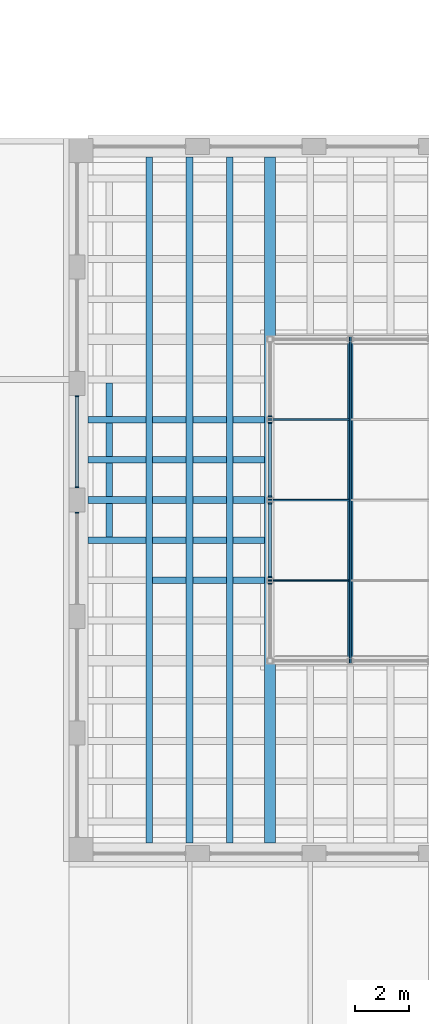
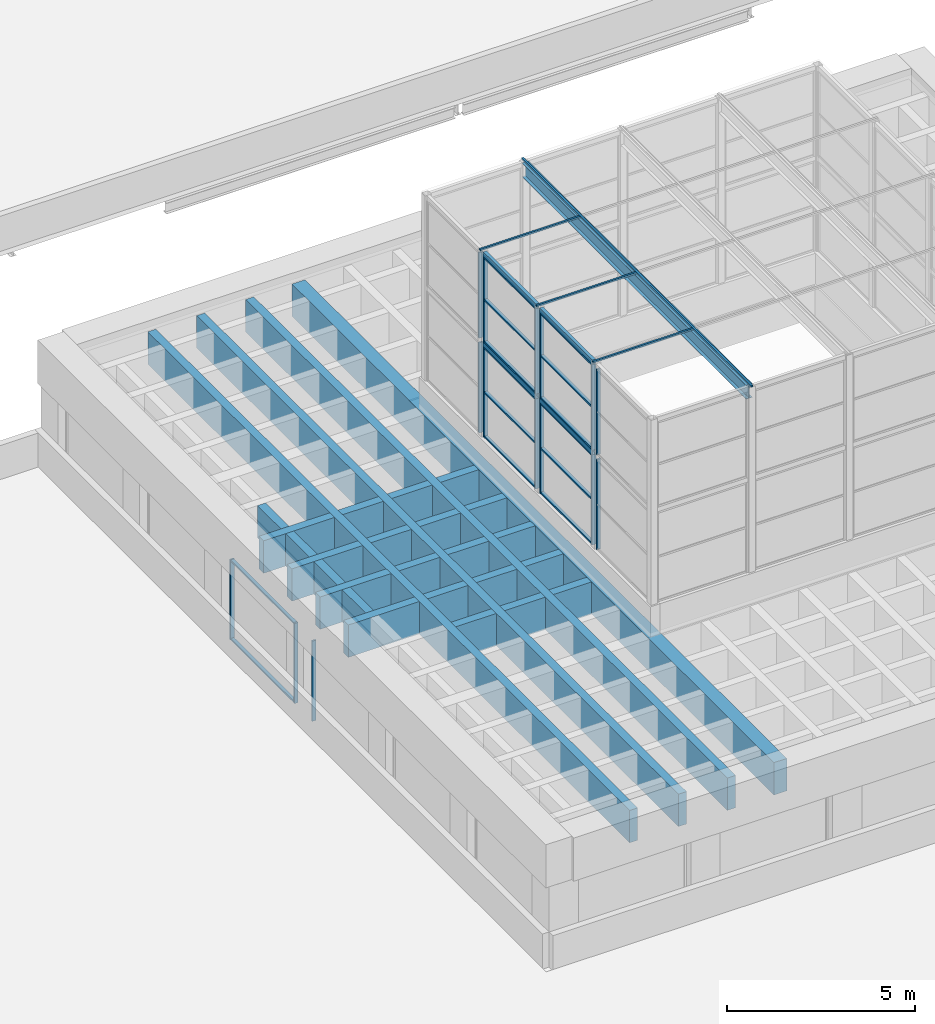
# One storey, part 20 of 50: 33 members, 32 beams, 11 elements without a shape of their own.
"""IFC4 building model written with IfcOpenShell, lengths in metres."""

from ifc_helpers import new_model, si_unit, direction, frame, origin, origin_2d, place, context, subcontext, project, spatial, rectangle, hollow_rectangle, i_section, extrude, material, layer, layer_set, material_profile, profile_set, type_object, element, aggregate, save


model = new_model("IFC4")

# Units and contexts
model_context = context("Model", 3, precision=1e-05, world=origin(), true_north=direction((0.0, 1.0)))
body_context = subcontext(model_context, "Body", "Model", "MODEL_VIEW")
ifc_project = project(units=[si_unit("LENGTHUNIT", "METRE"), si_unit("AREAUNIT", "SQUARE_METRE"), si_unit("VOLUMEUNIT", "CUBIC_METRE"), si_unit("PLANEANGLEUNIT", "RADIAN"), si_unit("MASSUNIT", "GRAM", prefix="KILO")], contexts=[model_context])

# Site, building, storey
site_placement = place(None, origin())
site = spatial("IfcSite", under=ifc_project, at=site_placement, CompositionType="ELEMENT")
building_placement = place(site_placement, origin())
building = spatial("IfcBuilding", under=site, at=building_placement, Name="Corbel Yard City Hall", CompositionType="ELEMENT")
storey_placement = place(building_placement, frame((0.0, 0.0, 15.0)))
storey = spatial("IfcBuildingStorey", under=building, at=storey_placement, Name="L03", CompositionType="ELEMENT", Elevation=15.0)

# Beams
ifc_material_1 = material(Name="Concrete N50 (50 MPa)", Category="concrete")
ifc_material_profile_1 = material_profile(ifc_material_1, rectangle(XDim=0.25, YDim=1.050048828125, at=origin_2d()), Name="250x1050")
ifc_profile_set_1 = profile_set([ifc_material_profile_1], Name="Concrete N50 (50 MPa)")
beam_type_1 = type_object("IfcBeamType", Name="Coffer cross rib RC 250X1050", PredefinedType="T_BEAM", material=ifc_profile_set_1)
for number, where, z_axis, x_axis, name in (
    (1, (118.5, 66.125, 3.125), (0.0, 1.0, 0.0), (-1.0, 0.0, 0.0), "Coffer cross rib RB3"),
    (2, (118.5, 67.625, 3.125), (0.0, 1.0, 0.0), (-1.0, 0.0, 0.0), "Coffer cross rib RB3"),
    (3, (118.5, 69.125, 3.125), (0.0, 1.0, 0.0), (-1.0, 0.0, 0.0), "Coffer cross rib RB3"),
    (4, (118.5, 70.625, 3.125), (0.0, 1.0, 0.0), (-1.0, 0.0, 0.0), "Coffer cross rib RB3"),
    (5, (120.125, 64.5, 3.125), (1.0, 0.0, 0.0), (0.0, 1.0, 0.0), "Coffer cross rib RB3"),
    (6, (121.625, 64.5, 3.125), (1.0, 0.0, 0.0), (0.0, 1.0, 0.0), "Coffer cross rib RB3"),
):
    element("IfcBeam", number, at=place(storey_placement, frame(where, z_axis=z_axis, x_axis=x_axis)), inside=storey, type_object=beam_type_1, Name=name, PredefinedType="T_BEAM", context=body_context, shape_type="SweptSolid", body=[
        extrude(rectangle(XDim=0.25, YDim=1.050048828125, at=origin_2d()), origin(), (0.0, 0.0, 1.0), 1.25),
    ])
beam_1_placement = place(storey_placement, frame((123.125, 64.5, 3.125), z_axis=(1.0, 0.0, 0.0), x_axis=(0.0, 1.0, 0.0)))
element("IfcBeam", 7, at=beam_1_placement, inside=storey, type_object=beam_type_1, Name="Coffer cross rib RB3", PredefinedType="T_BEAM", context=body_context, shape_type="SweptSolid", body=[
    extrude(rectangle(XDim=0.25, YDim=1.050048828125, at=origin_2d()), origin(), (0.0, 0.0, 1.0), 1.175048828125),
])
beam_2_placement = place(storey_placement, frame((117.699951171875, 66.0, 3.125), z_axis=(1.0, 0.0, 0.0), x_axis=(0.0, 1.0, 0.0)))
element("IfcBeam", 8, at=beam_2_placement, inside=storey, type_object=beam_type_1, Name="Coffer cross rib RB3", PredefinedType="T_BEAM", context=body_context, shape_type="SweptSolid", body=[
    extrude(rectangle(XDim=0.25, YDim=1.050048828125, at=origin_2d()), origin(), (0.0, 0.0, 1.0), 2.175048828125),
])
for number, where, z_axis, x_axis, name in (
    (9, (120.125, 66.0, 3.125), (1.0, 0.0, 0.0), (0.0, 1.0, 0.0), "Coffer cross rib RB3"),
    (10, (121.625, 66.0, 3.125), (1.0, 0.0, 0.0), (0.0, 1.0, 0.0), "Coffer cross rib RB3"),
):
    element("IfcBeam", number, at=place(storey_placement, frame(where, z_axis=z_axis, x_axis=x_axis)), inside=storey, type_object=beam_type_1, Name=name, PredefinedType="T_BEAM", context=body_context, shape_type="SweptSolid", body=[
        extrude(rectangle(XDim=0.25, YDim=1.050048828125, at=origin_2d()), origin(), (0.0, 0.0, 1.0), 1.25),
    ])
beam_3_placement = place(storey_placement, frame((123.125, 66.0, 3.125), z_axis=(1.0, 0.0, 0.0), x_axis=(0.0, 1.0, 0.0)))
element("IfcBeam", 11, at=beam_3_placement, inside=storey, type_object=beam_type_1, Name="Coffer cross rib RB3", PredefinedType="T_BEAM", context=body_context, shape_type="SweptSolid", body=[
    extrude(rectangle(XDim=0.25, YDim=1.050048828125, at=origin_2d()), origin(), (0.0, 0.0, 1.0), 1.175048828125),
])
beam_4_placement = place(storey_placement, frame((117.699951171875, 67.5, 3.125), z_axis=(1.0, 0.0, 0.0), x_axis=(0.0, 1.0, 0.0)))
element("IfcBeam", 12, at=beam_4_placement, inside=storey, type_object=beam_type_1, Name="Coffer cross rib RB3", PredefinedType="T_BEAM", context=body_context, shape_type="SweptSolid", body=[
    extrude(rectangle(XDim=0.25, YDim=1.050048828125, at=origin_2d()), origin(), (0.0, 0.0, 1.0), 2.175048828125),
])
for number, where, z_axis, x_axis, name in (
    (13, (120.125, 67.5, 3.125), (1.0, 0.0, 0.0), (0.0, 1.0, 0.0), "Coffer cross rib RB3"),
    (14, (121.625, 67.5, 3.125), (1.0, 0.0, 0.0), (0.0, 1.0, 0.0), "Coffer cross rib RB3"),
):
    element("IfcBeam", number, at=place(storey_placement, frame(where, z_axis=z_axis, x_axis=x_axis)), inside=storey, type_object=beam_type_1, Name=name, PredefinedType="T_BEAM", context=body_context, shape_type="SweptSolid", body=[
        extrude(rectangle(XDim=0.25, YDim=1.050048828125, at=origin_2d()), origin(), (0.0, 0.0, 1.0), 1.25),
    ])
beam_5_placement = place(storey_placement, frame((123.125, 67.5, 3.125), z_axis=(1.0, 0.0, 0.0), x_axis=(0.0, 1.0, 0.0)))
element("IfcBeam", 15, at=beam_5_placement, inside=storey, type_object=beam_type_1, Name="Coffer cross rib RB3", PredefinedType="T_BEAM", context=body_context, shape_type="SweptSolid", body=[
    extrude(rectangle(XDim=0.25, YDim=1.050048828125, at=origin_2d()), origin(), (0.0, 0.0, 1.0), 1.175048828125),
])
beam_6_placement = place(storey_placement, frame((117.699951171875, 69.0, 3.125), z_axis=(1.0, 0.0, 0.0), x_axis=(0.0, 1.0, 0.0)))
element("IfcBeam", 16, at=beam_6_placement, inside=storey, type_object=beam_type_1, Name="Coffer cross rib RB3", PredefinedType="T_BEAM", context=body_context, shape_type="SweptSolid", body=[
    extrude(rectangle(XDim=0.25, YDim=1.050048828125, at=origin_2d()), origin(), (0.0, 0.0, 1.0), 2.175048828125),
])
for number, where, z_axis, x_axis, name in (
    (17, (120.125, 69.0, 3.125), (1.0, 0.0, 0.0), (0.0, 1.0, 0.0), "Coffer cross rib RB3"),
    (18, (121.625, 69.0, 3.125), (1.0, 0.0, 0.0), (0.0, 1.0, 0.0), "Coffer cross rib RB3"),
):
    element("IfcBeam", number, at=place(storey_placement, frame(where, z_axis=z_axis, x_axis=x_axis)), inside=storey, type_object=beam_type_1, Name=name, PredefinedType="T_BEAM", context=body_context, shape_type="SweptSolid", body=[
        extrude(rectangle(XDim=0.25, YDim=1.050048828125, at=origin_2d()), origin(), (0.0, 0.0, 1.0), 1.25),
    ])
beam_7_placement = place(storey_placement, frame((123.125, 69.0, 3.125), z_axis=(1.0, 0.0, 0.0), x_axis=(0.0, 1.0, 0.0)))
element("IfcBeam", 19, at=beam_7_placement, inside=storey, type_object=beam_type_1, Name="Coffer cross rib RB3", PredefinedType="T_BEAM", context=body_context, shape_type="SweptSolid", body=[
    extrude(rectangle(XDim=0.25, YDim=1.050048828125, at=origin_2d()), origin(), (0.0, 0.0, 1.0), 1.175048828125),
])
beam_8_placement = place(storey_placement, frame((117.699951171875, 70.5, 3.125), z_axis=(1.0, 0.0, 0.0), x_axis=(0.0, 1.0, 0.0)))
element("IfcBeam", 20, at=beam_8_placement, inside=storey, type_object=beam_type_1, Name="Coffer cross rib RB3", PredefinedType="T_BEAM", context=body_context, shape_type="SweptSolid", body=[
    extrude(rectangle(XDim=0.25, YDim=1.050048828125, at=origin_2d()), origin(), (0.0, 0.0, 1.0), 2.175048828125),
])
for number, where, z_axis, x_axis, name in (
    (21, (120.125, 70.5, 3.125), (1.0, 0.0, 0.0), (0.0, 1.0, 0.0), "Coffer cross rib RB3"),
    (22, (121.625, 70.5, 3.125), (1.0, 0.0, 0.0), (0.0, 1.0, 0.0), "Coffer cross rib RB3"),
):
    element("IfcBeam", number, at=place(storey_placement, frame(where, z_axis=z_axis, x_axis=x_axis)), inside=storey, type_object=beam_type_1, Name=name, PredefinedType="T_BEAM", context=body_context, shape_type="SweptSolid", body=[
        extrude(rectangle(XDim=0.25, YDim=1.050048828125, at=origin_2d()), origin(), (0.0, 0.0, 1.0), 1.25),
    ])
beam_9_placement = place(storey_placement, frame((123.125, 70.5, 3.125), z_axis=(1.0, 0.0, 0.0), x_axis=(0.0, 1.0, 0.0)))
element("IfcBeam", 23, at=beam_9_placement, inside=storey, type_object=beam_type_1, Name="Coffer cross rib RB3", PredefinedType="T_BEAM", context=body_context, shape_type="SweptSolid", body=[
    extrude(rectangle(XDim=0.25, YDim=1.050048828125, at=origin_2d()), origin(), (0.0, 0.0, 1.0), 1.175048828125),
])
ifc_material_profile_2 = material_profile(ifc_material_1, rectangle(XDim=0.25, YDim=1.050048828125, at=origin_2d()), Name="250x1050")
ifc_profile_set_2 = profile_set([ifc_material_profile_2], Name="Concrete N50 (50 MPa)")
beam_type_2 = type_object("IfcBeamType", Name="Coffer rib RC 250X1050", PredefinedType="T_BEAM", material=ifc_profile_set_2)
for number, where, z_axis, x_axis, name in (
    (24, (120.0, 54.699951171875, 3.125), (0.0, 1.0, 0.0), (-1.0, 0.0, 0.0), "Coffer rib RB1"),
    (25, (121.5, 54.699951171875, 3.125), (0.0, 1.0, 0.0), (-1.0, 0.0, 0.0), "Coffer rib RB1"),
    (26, (123.0, 54.699951171875, 3.125), (0.0, 1.0, 0.0), (-1.0, 0.0, 0.0), "Coffer rib RB1"),
):
    element("IfcBeam", number, at=place(storey_placement, frame(where, z_axis=z_axis, x_axis=x_axis)), inside=storey, type_object=beam_type_2, Name=name, PredefinedType="T_BEAM", context=body_context, shape_type="SweptSolid", body=[
        extrude(rectangle(XDim=0.25, YDim=1.050048828125, at=origin_2d()), origin(), (0.0, 0.0, 1.0), 25.60009765625),
    ])
ifc_material_2 = material(Name="Steel Grade C450L0", Category="steel")
ifc_material_profile_3 = material_profile(ifc_material_2, hollow_rectangle(XDim=0.10009765625, YDim=0.14990234375, WallThickness=0.006103515625, at=origin_2d()), Name="150x100x6.0RHS")
ifc_profile_set_3 = profile_set([ifc_material_profile_3], Name="Steel Grade C450L0")
beam_type_3 = type_object("IfcBeamType", Name="Lantern frame beam 150x100x6.0RHS", PredefinedType="BEAM", material=ifc_profile_set_3)
for number, where, z_axis, x_axis, name in (
    (27, (124.5, 64.60009765625, 10.574951171875), (0.0, 1.0, 0.0), (-1.0, 0.0, 0.0), "Lantern frame beam 150x100x6.0RHS SB22"),
    (28, (124.5, 67.60009765625, 10.574951171875), (0.0, 1.0, 0.0), (-1.0, 0.0, 0.0), "Lantern frame beam 150x100x6.0RHS SB22"),
    (29, (124.5, 64.60009765625, 7.64990234375), (0.0, 1.0, 0.0), (-1.0, 0.0, 0.0), "Lantern frame beam 150x100x6.0RHS SB22"),
    (30, (124.5, 67.60009765625, 7.64990234375), (0.0, 1.0, 0.0), (-1.0, 0.0, 0.0), "Lantern frame beam 150x100x6.0RHS SB22"),
):
    element("IfcBeam", number, at=place(storey_placement, frame(where, z_axis=z_axis, x_axis=x_axis)), inside=storey, type_object=beam_type_3, Name=name, PredefinedType="BEAM", context=body_context, shape_type="SweptSolid", body=[
        extrude(hollow_rectangle(XDim=0.10009765625, YDim=0.14990234375, WallThickness=0.006103515625, at=origin_2d()), origin(), (0.0, 0.0, 1.0), 2.7998046875),
    ])
ifc_material_3 = material(Name="Steel Grade 300 (300 MPa yield)", Category="steel")
ifc_material_profile_4 = material_profile(ifc_material_3, i_section(OverallWidth=0.18994140625, OverallDepth=0.4541015625, WebThickness=0.008544921875, FlangeThickness=0.0126953125, at=origin_2d()), Name="460UB67.1")
ifc_profile_set_4 = profile_set([ifc_material_profile_4], Name="Steel Grade 300 (300 MPa yield)")
beam_type_4 = type_object("IfcBeamType", Name="Lantern roof beam 460UB67.1", PredefinedType="JOIST", material=ifc_profile_set_4)
beam_10_placement = place(storey_placement, frame((127.5, 61.550048828125, 10.423095703125), z_axis=(0.0, 1.0, 0.0), x_axis=(-1.0, 0.0, 0.0)))
element("IfcBeam", 31, at=beam_10_placement, inside=storey, type_object=beam_type_4, Name="Lantern roof beam 460UB67.1 SB23", PredefinedType="JOIST", context=body_context, shape_type="SweptSolid", body=[
    extrude(i_section(OverallWidth=0.18994140625, OverallDepth=0.4541015625, WebThickness=0.008544921875, FlangeThickness=0.0126953125, at=origin_2d()), origin(), (0.0, 0.0, 1.0), 11.89990234375),
])
ifc_material_profile_5 = material_profile(ifc_material_1, rectangle(XDim=0.39990234375, YDim=1.050048828125, at=origin_2d()), Name="400x1050")
ifc_profile_set_5 = profile_set([ifc_material_profile_5], Name="Concrete N50 (50 MPa)")
beam_type_5 = type_object("IfcBeamType", Name="Lantern trimmer rib RC 400X1050", PredefinedType="BEAM", material=ifc_profile_set_5)
beam_11_placement = place(storey_placement, frame((124.5, 54.699951171875, 3.125), z_axis=(0.0, 1.0, 0.0), x_axis=(-1.0, 0.0, 0.0)))
element("IfcBeam", 32, at=beam_11_placement, inside=storey, type_object=beam_type_5, Name="Lantern trimmer rib RB2", PredefinedType="BEAM", context=body_context, shape_type="SweptSolid", body=[
    extrude(rectangle(XDim=0.39990234375, YDim=1.050048828125, at=origin_2d()), origin(), (0.0, 0.0, 1.0), 25.60009765625),
])

# Curtain wall, member
ifc_material_4 = material(Name="Aluminium extrusion", Category="aluminium")
ifc_layer_1 = layer(ifc_material_4, 0.1201171875)
ifc_layer_set_1 = layer_set([ifc_layer_1], Name="Aluminium extrusion")
curtain_wall_type_1 = type_object("IfcCurtainWallType", Name="CW3", PredefinedType="USERDEFINED", material=ifc_layer_set_1)
curtain_wall_1_placement = place(storey_placement, origin())
curtain_wall_1 = element("IfcCurtainWall", 33, at=curtain_wall_1_placement, inside=storey, type_object=curtain_wall_type_1, Name="Lantern glazing", ObjectType="CURTAIN WALL", PredefinedType="USERDEFINED")
ifc_material_profile_6 = material_profile(ifc_material_4, rectangle(XDim=0.1201171875, YDim=0.050048828125, at=origin_2d()), Name="120x50")
ifc_profile_set_6 = profile_set([ifc_material_profile_6], Name="Aluminium extrusion")
member_type_1 = type_object("IfcMemberType", Name="ML3", PredefinedType="MULLION", material=ifc_profile_set_6)
member_1_placement = place(storey_placement, frame((124.5, 64.375, 4.64990234375), z_axis=(0.0, 0.0, 1.0), x_axis=(-1.0, 0.0, 0.0)))
member_1 = element("IfcMember", 34, at=member_1_placement, type_object=member_type_1, Name="CW3 mullion 2", PredefinedType="MULLION", context=body_context, shape_type="SweptSolid", body=[
    extrude(rectangle(XDim=0.1201171875, YDim=0.050048828125, at=origin_2d()), origin(), (0.0, 0.0, 1.0), 2.925048828125),
])
aggregate(curtain_wall_1, [member_1])

# Curtain wall, members
curtain_wall_2_placement = place(storey_placement, origin())
curtain_wall_2 = element("IfcCurtainWall", 35, at=curtain_wall_2_placement, inside=storey, type_object=curtain_wall_type_1, Name="Lantern glazing", ObjectType="CURTAIN WALL", PredefinedType="USERDEFINED")
member_2_placement = place(storey_placement, frame((124.5, 64.625, 4.64990234375), z_axis=(0.0, 0.0, 1.0), x_axis=(-1.0, 0.0, 0.0)))
member_2 = element("IfcMember", 36, at=member_2_placement, type_object=member_type_1, Name="CW3 mullion 1", PredefinedType="MULLION", context=body_context, shape_type="SweptSolid", body=[
    extrude(rectangle(XDim=0.1201171875, YDim=0.050048828125, at=origin_2d()), origin(), (0.0, 0.0, 1.0), 2.925048828125),
])
member_3_placement = place(storey_placement, frame((124.5, 67.375, 4.64990234375), z_axis=(0.0, 0.0, 1.0), x_axis=(-1.0, 0.0, 0.0)))
member_3 = element("IfcMember", 37, at=member_3_placement, type_object=member_type_1, Name="CW3 mullion 2", PredefinedType="MULLION", context=body_context, shape_type="SweptSolid", body=[
    extrude(rectangle(XDim=0.1201171875, YDim=0.050048828125, at=origin_2d()), origin(), (0.0, 0.0, 1.0), 2.925048828125),
])

curtain_wall_3_placement = place(storey_placement, origin())
curtain_wall_3 = element("IfcCurtainWall", 38, at=curtain_wall_3_placement, inside=storey, type_object=curtain_wall_type_1, Name="Lantern glazing", ObjectType="CURTAIN WALL", PredefinedType="USERDEFINED")
member_4_placement = place(storey_placement, frame((124.5, 67.625, 4.64990234375), z_axis=(0.0, 0.0, 1.0), x_axis=(-1.0, 0.0, 0.0)))
member_4 = element("IfcMember", 39, at=member_4_placement, type_object=member_type_1, Name="CW3 mullion 1", PredefinedType="MULLION", context=body_context, shape_type="SweptSolid", body=[
    extrude(rectangle(XDim=0.1201171875, YDim=0.050048828125, at=origin_2d()), origin(), (0.0, 0.0, 1.0), 2.925048828125),
])
member_5_placement = place(storey_placement, frame((124.5, 70.375, 4.64990234375), z_axis=(0.0, 0.0, 1.0), x_axis=(-1.0, 0.0, 0.0)))
member_5 = element("IfcMember", 40, at=member_5_placement, type_object=member_type_1, Name="CW3 mullion 2", PredefinedType="MULLION", context=body_context, shape_type="SweptSolid", body=[
    extrude(rectangle(XDim=0.1201171875, YDim=0.050048828125, at=origin_2d()), origin(), (0.0, 0.0, 1.0), 2.925048828125),
])

# Curtain wall, member
curtain_wall_4_placement = place(storey_placement, origin())
curtain_wall_4 = element("IfcCurtainWall", 41, at=curtain_wall_4_placement, inside=storey, type_object=curtain_wall_type_1, Name="Lantern glazing", ObjectType="CURTAIN WALL", PredefinedType="USERDEFINED")
member_6_placement = place(storey_placement, frame((124.5, 70.625, 4.64990234375), z_axis=(0.0, 0.0, 1.0), x_axis=(-1.0, 0.0, 0.0)))
member_6 = element("IfcMember", 42, at=member_6_placement, type_object=member_type_1, Name="CW3 mullion 1", PredefinedType="MULLION", context=body_context, shape_type="SweptSolid", body=[
    extrude(rectangle(XDim=0.1201171875, YDim=0.050048828125, at=origin_2d()), origin(), (0.0, 0.0, 1.0), 2.925048828125),
])
aggregate(curtain_wall_4, [member_6])

curtain_wall_5_placement = place(storey_placement, origin())
curtain_wall_5 = element("IfcCurtainWall", 43, at=curtain_wall_5_placement, inside=storey, type_object=curtain_wall_type_1, Name="Lantern glazing", ObjectType="CURTAIN WALL", PredefinedType="USERDEFINED")
member_7_placement = place(storey_placement, frame((124.5, 64.375, 7.72509765625), z_axis=(0.0, 0.0, 1.0), x_axis=(-1.0, 0.0, 0.0)))
member_7 = element("IfcMember", 44, at=member_7_placement, type_object=member_type_1, Name="CW3 mullion 2", PredefinedType="MULLION", context=body_context, shape_type="SweptSolid", body=[
    extrude(rectangle(XDim=0.1201171875, YDim=0.050048828125, at=origin_2d()), origin(), (0.0, 0.0, 1.0), 2.77490234375),
])
aggregate(curtain_wall_5, [member_7])

# Curtain wall, members
curtain_wall_6_placement = place(storey_placement, origin())
curtain_wall_6 = element("IfcCurtainWall", 45, at=curtain_wall_6_placement, inside=storey, type_object=curtain_wall_type_1, Name="Lantern glazing", ObjectType="CURTAIN WALL", PredefinedType="USERDEFINED")
member_8_placement = place(storey_placement, frame((124.5, 64.625, 7.72509765625), z_axis=(0.0, 0.0, 1.0), x_axis=(-1.0, 0.0, 0.0)))
member_8 = element("IfcMember", 46, at=member_8_placement, type_object=member_type_1, Name="CW3 mullion 1", PredefinedType="MULLION", context=body_context, shape_type="SweptSolid", body=[
    extrude(rectangle(XDim=0.1201171875, YDim=0.050048828125, at=origin_2d()), origin(), (0.0, 0.0, 1.0), 2.77490234375),
])
member_9_placement = place(storey_placement, frame((124.5, 67.375, 7.72509765625), z_axis=(0.0, 0.0, 1.0), x_axis=(-1.0, 0.0, 0.0)))
member_9 = element("IfcMember", 47, at=member_9_placement, type_object=member_type_1, Name="CW3 mullion 2", PredefinedType="MULLION", context=body_context, shape_type="SweptSolid", body=[
    extrude(rectangle(XDim=0.1201171875, YDim=0.050048828125, at=origin_2d()), origin(), (0.0, 0.0, 1.0), 2.77490234375),
])

curtain_wall_7_placement = place(storey_placement, origin())
curtain_wall_7 = element("IfcCurtainWall", 48, at=curtain_wall_7_placement, inside=storey, type_object=curtain_wall_type_1, Name="Lantern glazing", ObjectType="CURTAIN WALL", PredefinedType="USERDEFINED")
member_10_placement = place(storey_placement, frame((124.5, 67.625, 7.72509765625), z_axis=(0.0, 0.0, 1.0), x_axis=(-1.0, 0.0, 0.0)))
member_10 = element("IfcMember", 49, at=member_10_placement, type_object=member_type_1, Name="CW3 mullion 1", PredefinedType="MULLION", context=body_context, shape_type="SweptSolid", body=[
    extrude(rectangle(XDim=0.1201171875, YDim=0.050048828125, at=origin_2d()), origin(), (0.0, 0.0, 1.0), 2.77490234375),
])
member_11_placement = place(storey_placement, frame((124.5, 70.375, 7.72509765625), z_axis=(0.0, 0.0, 1.0), x_axis=(-1.0, 0.0, 0.0)))
member_11 = element("IfcMember", 50, at=member_11_placement, type_object=member_type_1, Name="CW3 mullion 2", PredefinedType="MULLION", context=body_context, shape_type="SweptSolid", body=[
    extrude(rectangle(XDim=0.1201171875, YDim=0.050048828125, at=origin_2d()), origin(), (0.0, 0.0, 1.0), 2.77490234375),
])

# Curtain wall, member
curtain_wall_8_placement = place(storey_placement, origin())
curtain_wall_8 = element("IfcCurtainWall", 51, at=curtain_wall_8_placement, inside=storey, type_object=curtain_wall_type_1, Name="Lantern glazing", ObjectType="CURTAIN WALL", PredefinedType="USERDEFINED")
member_12_placement = place(storey_placement, frame((124.5, 70.625, 7.72509765625), z_axis=(0.0, 0.0, 1.0), x_axis=(-1.0, 0.0, 0.0)))
member_12 = element("IfcMember", 52, at=member_12_placement, type_object=member_type_1, Name="CW3 mullion 1", PredefinedType="MULLION", context=body_context, shape_type="SweptSolid", body=[
    extrude(rectangle(XDim=0.1201171875, YDim=0.050048828125, at=origin_2d()), origin(), (0.0, 0.0, 1.0), 2.77490234375),
])
aggregate(curtain_wall_8, [member_12])

curtain_wall_9_placement = place(storey_placement, origin())
curtain_wall_9 = element("IfcCurtainWall", 53, at=curtain_wall_9_placement, inside=storey, type_object=curtain_wall_type_1, Name="Chamber clerestory glazing", ObjectType="CURTAIN WALL", PredefinedType="USERDEFINED")
member_13_placement = place(storey_placement, frame((117.300048828125, 67.02490234375, 0.0), z_axis=(0.0, 0.0, 1.0), x_axis=(-1.0, 0.0, 0.0)))
member_13 = element("IfcMember", 54, at=member_13_placement, type_object=member_type_1, Name="CW3 mullion 2", PredefinedType="MULLION", context=body_context, shape_type="SweptSolid", body=[
    extrude(rectangle(XDim=0.1201171875, YDim=0.050048828125, at=origin_2d()), origin(), (0.0, 0.0, 1.0), 2.60009765625),
])
aggregate(curtain_wall_9, [member_13])

# Curtain wall, members
curtain_wall_10_placement = place(storey_placement, origin())
curtain_wall_10 = element("IfcCurtainWall", 55, at=curtain_wall_10_placement, inside=storey, type_object=curtain_wall_type_1, Name="Chamber clerestory glazing", ObjectType="CURTAIN WALL", PredefinedType="USERDEFINED")
member_14_placement = place(storey_placement, frame((117.300048828125, 67.97509765625, 0.0), z_axis=(0.0, 0.0, 1.0), x_axis=(-1.0, 0.0, 0.0)))
member_14 = element("IfcMember", 56, at=member_14_placement, type_object=member_type_1, Name="CW3 mullion 1", PredefinedType="MULLION", context=body_context, shape_type="SweptSolid", body=[
    extrude(rectangle(XDim=0.1201171875, YDim=0.050048828125, at=origin_2d()), origin(), (0.0, 0.0, 1.0), 2.60009765625),
])
member_15_placement = place(storey_placement, frame((117.300048828125, 71.375, 0.0), z_axis=(0.0, 0.0, 1.0), x_axis=(-1.0, 0.0, 0.0)))
member_15 = element("IfcMember", 57, at=member_15_placement, type_object=member_type_1, Name="CW3 mullion 2", PredefinedType="MULLION", context=body_context, shape_type="SweptSolid", body=[
    extrude(rectangle(XDim=0.1201171875, YDim=0.050048828125, at=origin_2d()), origin(), (0.0, 0.0, 1.0), 2.60009765625),
])

# Curtain wall, member
ifc_material_5 = material(Name="Stainless steel Grade 316", Category="steel")
ifc_layer_2 = layer(ifc_material_5, 0.050048828125)
ifc_layer_set_2 = layer_set([ifc_layer_2], Name="Stainless steel Grade 316")
curtain_wall_type_2 = type_object("IfcCurtainWallType", Name="CW9", PredefinedType="USERDEFINED", material=ifc_layer_set_2)
curtain_wall_11_placement = place(storey_placement, origin())
curtain_wall_11 = element("IfcCurtainWall", 58, at=curtain_wall_11_placement, inside=storey, type_object=curtain_wall_type_2, Name="Lantern roof glazing", ObjectType="CURTAIN WALL", PredefinedType="USERDEFINED")
ifc_material_profile_7 = material_profile(ifc_material_5, rectangle(XDim=0.06005859375, YDim=0.050048828125, at=origin_2d()), Name="60x50")
ifc_profile_set_7 = profile_set([ifc_material_profile_7], Name="Stainless steel Grade 316")
member_type_2 = type_object("IfcMemberType", Name="ML9", PredefinedType="MULLION", material=ifc_profile_set_7)
member_16_placement = place(storey_placement, frame((127.5, 61.39990234375, 10.675048828125), z_axis=(0.0, 1.0, 0.0), x_axis=(-1.0, 0.0, 0.0)))
member_16 = element("IfcMember", 59, at=member_16_placement, type_object=member_type_2, Name="Lantern glazing bar", PredefinedType="MULLION", context=body_context, shape_type="SweptSolid", body=[
    extrude(rectangle(XDim=0.06005859375, YDim=0.050048828125, at=origin_2d()), origin(), (0.0, 0.0, 1.0), 12.2001953125),
])

# Member
ifc_material_profile_8 = material_profile(ifc_material_4, rectangle(XDim=0.10009765625, YDim=0.050048828125, at=origin_2d()), Name="100x50")
ifc_profile_set_8 = profile_set([ifc_material_profile_8], Name="Aluminium extrusion")
member_type_3 = type_object("IfcMemberType", Name="TR3", PredefinedType="USERDEFINED", material=ifc_profile_set_8)
member_17_placement = place(storey_placement, frame((124.5, 64.64990234375, 4.675048828125), z_axis=(0.0, 1.0, 0.0), x_axis=(-1.0, 0.0, 0.0)))
member_17 = element("IfcMember", 60, at=member_17_placement, type_object=member_type_3, Name="CW3 transom 1.1", ObjectType="TRANSOM", PredefinedType="USERDEFINED", context=body_context, shape_type="SweptSolid", body=[
    extrude(rectangle(XDim=0.10009765625, YDim=0.050048828125, at=origin_2d()), origin(), (0.0, 0.0, 1.0), 2.7001953125),
])

member_18_placement = place(storey_placement, frame((124.5, 64.64990234375, 6.112548828125), z_axis=(0.0, 1.0, 0.0), x_axis=(-1.0, 0.0, 0.0)))
member_18 = element("IfcMember", 61, at=member_18_placement, type_object=member_type_3, Name="CW3 transom 1.2", ObjectType="TRANSOM", PredefinedType="USERDEFINED", context=body_context, shape_type="SweptSolid", body=[
    extrude(rectangle(XDim=0.10009765625, YDim=0.050048828125, at=origin_2d()), origin(), (0.0, 0.0, 1.0), 2.7001953125),
])

member_19_placement = place(storey_placement, frame((124.5, 64.64990234375, 7.550048828125), z_axis=(0.0, 1.0, 0.0), x_axis=(-1.0, 0.0, 0.0)))
member_19 = element("IfcMember", 62, at=member_19_placement, type_object=member_type_3, Name="CW3 transom 1.3", ObjectType="TRANSOM", PredefinedType="USERDEFINED", context=body_context, shape_type="SweptSolid", body=[
    extrude(rectangle(XDim=0.10009765625, YDim=0.050048828125, at=origin_2d()), origin(), (0.0, 0.0, 1.0), 2.7001953125),
])

aggregate(curtain_wall_2, [member_2, member_3, member_17, member_18, member_19])

member_20_placement = place(storey_placement, frame((124.5, 67.64990234375, 4.675048828125), z_axis=(0.0, 1.0, 0.0), x_axis=(-1.0, 0.0, 0.0)))
member_20 = element("IfcMember", 63, at=member_20_placement, type_object=member_type_3, Name="CW3 transom 1.1", ObjectType="TRANSOM", PredefinedType="USERDEFINED", context=body_context, shape_type="SweptSolid", body=[
    extrude(rectangle(XDim=0.10009765625, YDim=0.050048828125, at=origin_2d()), origin(), (0.0, 0.0, 1.0), 2.7001953125),
])

member_21_placement = place(storey_placement, frame((124.5, 67.64990234375, 6.112548828125), z_axis=(0.0, 1.0, 0.0), x_axis=(-1.0, 0.0, 0.0)))
member_21 = element("IfcMember", 64, at=member_21_placement, type_object=member_type_3, Name="CW3 transom 1.2", ObjectType="TRANSOM", PredefinedType="USERDEFINED", context=body_context, shape_type="SweptSolid", body=[
    extrude(rectangle(XDim=0.10009765625, YDim=0.050048828125, at=origin_2d()), origin(), (0.0, 0.0, 1.0), 2.7001953125),
])

member_22_placement = place(storey_placement, frame((124.5, 67.64990234375, 7.550048828125), z_axis=(0.0, 1.0, 0.0), x_axis=(-1.0, 0.0, 0.0)))
member_22 = element("IfcMember", 65, at=member_22_placement, type_object=member_type_3, Name="CW3 transom 1.3", ObjectType="TRANSOM", PredefinedType="USERDEFINED", context=body_context, shape_type="SweptSolid", body=[
    extrude(rectangle(XDim=0.10009765625, YDim=0.050048828125, at=origin_2d()), origin(), (0.0, 0.0, 1.0), 2.7001953125),
])

aggregate(curtain_wall_3, [member_4, member_5, member_20, member_21, member_22])

member_23_placement = place(storey_placement, frame((124.5, 64.64990234375, 7.75), z_axis=(0.0, 1.0, 0.0), x_axis=(-1.0, 0.0, 0.0)))
member_23 = element("IfcMember", 66, at=member_23_placement, type_object=member_type_3, Name="CW3 transom 1.1", ObjectType="TRANSOM", PredefinedType="USERDEFINED", context=body_context, shape_type="SweptSolid", body=[
    extrude(rectangle(XDim=0.10009765625, YDim=0.050048828125, at=origin_2d()), origin(), (0.0, 0.0, 1.0), 2.7001953125),
])

member_24_placement = place(storey_placement, frame((124.5, 64.64990234375, 9.112548828125), z_axis=(0.0, 1.0, 0.0), x_axis=(-1.0, 0.0, 0.0)))
member_24 = element("IfcMember", 67, at=member_24_placement, type_object=member_type_3, Name="CW3 transom 1.2", ObjectType="TRANSOM", PredefinedType="USERDEFINED", context=body_context, shape_type="SweptSolid", body=[
    extrude(rectangle(XDim=0.10009765625, YDim=0.050048828125, at=origin_2d()), origin(), (0.0, 0.0, 1.0), 2.7001953125),
])

member_25_placement = place(storey_placement, frame((124.5, 64.64990234375, 10.47509765625), z_axis=(0.0, 1.0, 0.0), x_axis=(-1.0, 0.0, 0.0)))
member_25 = element("IfcMember", 68, at=member_25_placement, type_object=member_type_3, Name="CW3 transom 1.3", ObjectType="TRANSOM", PredefinedType="USERDEFINED", context=body_context, shape_type="SweptSolid", body=[
    extrude(rectangle(XDim=0.10009765625, YDim=0.050048828125, at=origin_2d()), origin(), (0.0, 0.0, 1.0), 2.7001953125),
])

aggregate(curtain_wall_6, [member_8, member_9, member_23, member_24, member_25])

member_26_placement = place(storey_placement, frame((124.5, 67.64990234375, 7.75), z_axis=(0.0, 1.0, 0.0), x_axis=(-1.0, 0.0, 0.0)))
member_26 = element("IfcMember", 69, at=member_26_placement, type_object=member_type_3, Name="CW3 transom 1.1", ObjectType="TRANSOM", PredefinedType="USERDEFINED", context=body_context, shape_type="SweptSolid", body=[
    extrude(rectangle(XDim=0.10009765625, YDim=0.050048828125, at=origin_2d()), origin(), (0.0, 0.0, 1.0), 2.7001953125),
])

member_27_placement = place(storey_placement, frame((124.5, 67.64990234375, 9.112548828125), z_axis=(0.0, 1.0, 0.0), x_axis=(-1.0, 0.0, 0.0)))
member_27 = element("IfcMember", 70, at=member_27_placement, type_object=member_type_3, Name="CW3 transom 1.2", ObjectType="TRANSOM", PredefinedType="USERDEFINED", context=body_context, shape_type="SweptSolid", body=[
    extrude(rectangle(XDim=0.10009765625, YDim=0.050048828125, at=origin_2d()), origin(), (0.0, 0.0, 1.0), 2.7001953125),
])

member_28_placement = place(storey_placement, frame((124.5, 67.64990234375, 10.47509765625), z_axis=(0.0, 1.0, 0.0), x_axis=(-1.0, 0.0, 0.0)))
member_28 = element("IfcMember", 71, at=member_28_placement, type_object=member_type_3, Name="CW3 transom 1.3", ObjectType="TRANSOM", PredefinedType="USERDEFINED", context=body_context, shape_type="SweptSolid", body=[
    extrude(rectangle(XDim=0.10009765625, YDim=0.050048828125, at=origin_2d()), origin(), (0.0, 0.0, 1.0), 2.7001953125),
])

aggregate(curtain_wall_7, [member_10, member_11, member_26, member_27, member_28])

member_29_placement = place(storey_placement, frame((117.300048828125, 68.0, 0.02490234375), z_axis=(0.0, 1.0, 0.0), x_axis=(-1.0, 0.0, 0.0)))
member_29 = element("IfcMember", 72, at=member_29_placement, type_object=member_type_3, Name="CW3 transom 1.1", ObjectType="TRANSOM", PredefinedType="USERDEFINED", context=body_context, shape_type="SweptSolid", body=[
    extrude(rectangle(XDim=0.10009765625, YDim=0.050048828125, at=origin_2d()), origin(), (0.0, 0.0, 1.0), 3.35009765625),
])

member_30_placement = place(storey_placement, frame((117.300048828125, 68.0, 2.574951171875), z_axis=(0.0, 1.0, 0.0), x_axis=(-1.0, 0.0, 0.0)))
member_30 = element("IfcMember", 73, at=member_30_placement, type_object=member_type_3, Name="CW3 transom 1.2", ObjectType="TRANSOM", PredefinedType="USERDEFINED", context=body_context, shape_type="SweptSolid", body=[
    extrude(rectangle(XDim=0.10009765625, YDim=0.050048828125, at=origin_2d()), origin(), (0.0, 0.0, 1.0), 3.35009765625),
])

aggregate(curtain_wall_10, [member_14, member_15, member_29, member_30])

ifc_material_profile_9 = material_profile(ifc_material_5, rectangle(XDim=0.06005859375, YDim=0.050048828125, at=origin_2d()), Name="60x50")
ifc_profile_set_9 = profile_set([ifc_material_profile_9], Name="Stainless steel Grade 316")
member_type_4 = type_object("IfcMemberType", Name="TR9", PredefinedType="USERDEFINED", material=ifc_profile_set_9)
member_31_placement = place(storey_placement, frame((124.39990234375, 64.5, 10.675048828125), z_axis=(1.0, 0.0, 0.0), x_axis=(0.0, 1.0, 0.0)))
member_31 = element("IfcMember", 74, at=member_31_placement, type_object=member_type_4, Name="Lantern glazing bar", ObjectType="TRANSOM", PredefinedType="USERDEFINED", context=body_context, shape_type="SweptSolid", body=[
    extrude(rectangle(XDim=0.06005859375, YDim=0.050048828125, at=origin_2d()), origin(), (0.0, 0.0, 1.0), 3.070068359375),
])

member_32_placement = place(storey_placement, frame((124.39990234375, 67.5, 10.675048828125), z_axis=(1.0, 0.0, 0.0), x_axis=(0.0, 1.0, 0.0)))
member_32 = element("IfcMember", 75, at=member_32_placement, type_object=member_type_4, Name="Lantern glazing bar", ObjectType="TRANSOM", PredefinedType="USERDEFINED", context=body_context, shape_type="SweptSolid", body=[
    extrude(rectangle(XDim=0.06005859375, YDim=0.050048828125, at=origin_2d()), origin(), (0.0, 0.0, 1.0), 3.070068359375),
])

member_33_placement = place(storey_placement, frame((124.39990234375, 70.5, 10.675048828125), z_axis=(1.0, 0.0, 0.0), x_axis=(0.0, 1.0, 0.0)))
member_33 = element("IfcMember", 76, at=member_33_placement, type_object=member_type_4, Name="Lantern glazing bar", ObjectType="TRANSOM", PredefinedType="USERDEFINED", context=body_context, shape_type="SweptSolid", body=[
    extrude(rectangle(XDim=0.06005859375, YDim=0.050048828125, at=origin_2d()), origin(), (0.0, 0.0, 1.0), 3.070068359375),
])

aggregate(curtain_wall_11, [member_16, member_31, member_32, member_33])

save(model, "model.ifc")
